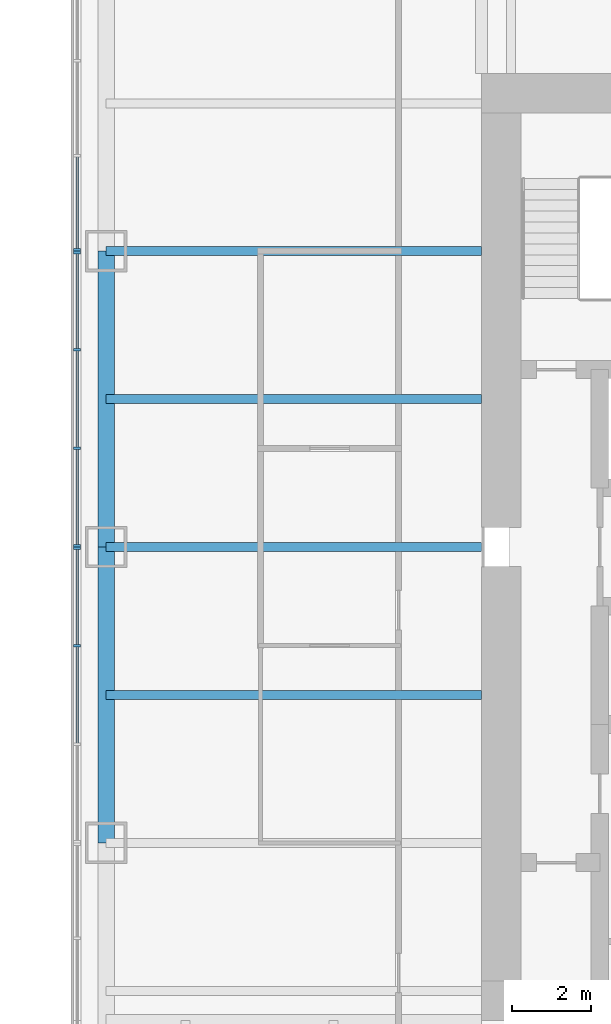
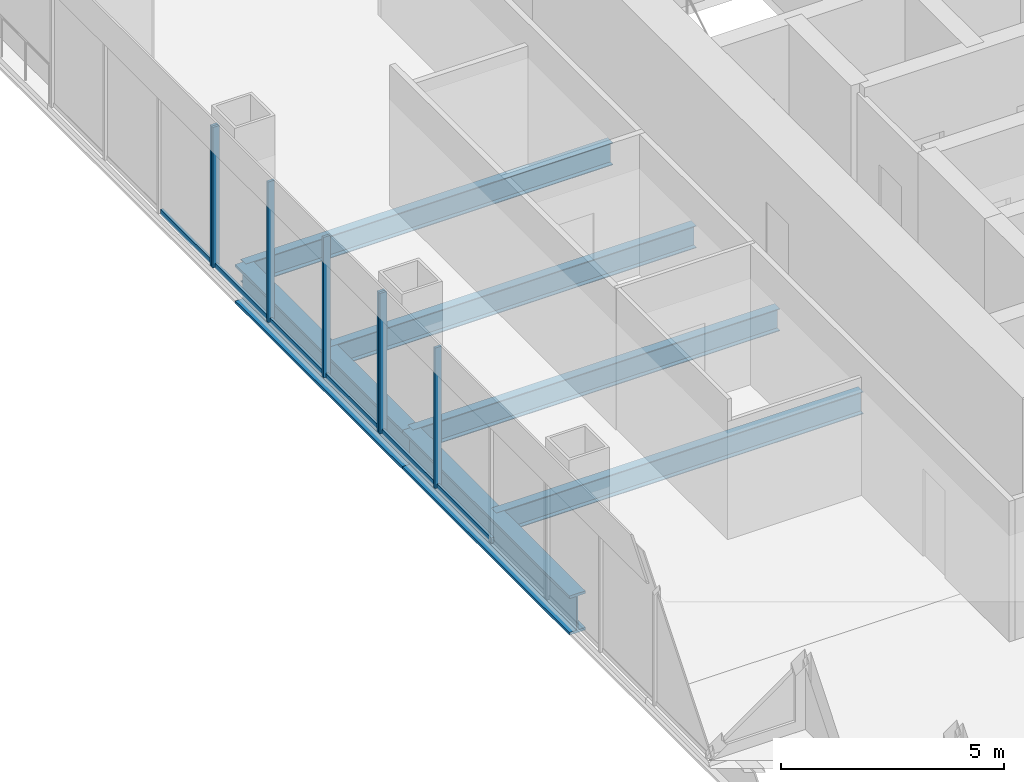
# One storey, part 3 of 13: 13 members, 6 beams, 3 elements without a shape of their own.
"""IFC4 building model written with IfcOpenShell, lengths in metres."""

import ifcopenshell
import ifcopenshell.guid

model = None  # the IFC model being written
_history = None  # IfcOwnerHistory: only IFC2X3 demands one
_inside = {}  # id of a spatial element -> (the spatial element, [elements in it])
_under = {}  # id of a project, library or spatial element -> (it, [spatial elements below it])
_declared = {}  # id of a project -> (the project, [libraries it declares])
_typed = {}  # id of a type object -> (the type object, [elements of that type])
_made_of = {}  # id of a material, layer set ... -> (it, [elements and type objects made of it])


def new_model(schema):
    """Start an empty IFC model of exactly this schema.

    Asked for "IFC4X3", IfcOpenShell would pick the latest addendum, in which some entities
    have other attributes; the version numbers below select the first issue.
    IFC2X3 requires an IfcOwnerHistory on every rooted entity: one is made here for all.
    """
    global model, _history
    if schema == "IFC4X3":
        model = ifcopenshell.file(schema_version=(4, 3, 0, 0))
    else:
        model = ifcopenshell.file(schema=schema)
    _inside.clear()
    _under.clear()
    _declared.clear()
    _typed.clear()
    _made_of.clear()
    _history = None
    if model.schema == "IFC2X3":
        org = make("IfcOrganization", Name="unknown")
        user = make(
            "IfcPersonAndOrganization",
            ThePerson=make("IfcPerson", FamilyName="unknown"),
            TheOrganization=org,
        )
        app = make(
            "IfcApplication",
            ApplicationDeveloper=org,
            Version="unknown",
            ApplicationFullName="unknown",
            ApplicationIdentifier="unknown",
        )
        _history = make(
            "IfcOwnerHistory",
            OwningUser=user,
            OwningApplication=app,
            ChangeAction="ADDED",
            CreationDate=0,
        )
    return model


def make(cls, **values):
    """One entity of the class cls with the attributes given. An attribute that is None is left unset."""
    return model.create_entity(
        cls, **{name: value for name, value in values.items() if value is not None}
    )


def rooted(cls, **values):
    """An entity with a GlobalId (a new one), such as an element, a storey or a relation."""
    return make(cls, GlobalId=ifcopenshell.guid.new(), OwnerHistory=_history, **values)


def si_unit(unit_type, name, prefix=None):
    """IfcSIUnit, for example si_unit("LENGTHUNIT", "METRE", prefix="MILLI")."""
    return make("IfcSIUnit", UnitType=unit_type, Prefix=prefix, Name=name)


def assignment(units):
    """IfcUnitAssignment: the units of a project."""
    return None if units is None else make("IfcUnitAssignment", Units=units)


def point(xyz):
    """IfcCartesianPoint."""
    return None if xyz is None else make("IfcCartesianPoint", Coordinates=xyz)


def direction(xyz):
    """IfcDirection."""
    return None if xyz is None else make("IfcDirection", DirectionRatios=xyz)


def frame(location, z_axis=None, x_axis=None):
    """IfcAxis2Placement3D, a coordinate frame: its origin and axes. An axis left out is left unset."""
    return make(
        "IfcAxis2Placement3D",
        Location=point(location),
        Axis=direction(z_axis),
        RefDirection=direction(x_axis),
    )


def frame_2d(location, x_axis=None):
    """IfcAxis2Placement2D, a coordinate frame in the plane: its origin and x axis."""
    return make(
        "IfcAxis2Placement2D", Location=point(location), RefDirection=direction(x_axis)
    )


def origin():
    """The frame at (0, 0, 0) with its axes left unset."""
    return frame((0.0, 0.0, 0.0))


def origin_2d():
    """The frame at (0, 0) in the plane with its x axis left unset."""
    return frame_2d((0.0, 0.0))


def place(relative_to, where):
    """IfcLocalPlacement: puts the frame where relative to a parent placement (None: the world)."""
    return make(
        "IfcLocalPlacement", PlacementRelTo=relative_to, RelativePlacement=where
    )


def context(
    kind, dimensions, precision=None, world=None, true_north=None, identifier=None
):
    """IfcGeometricRepresentationContext, for example the 3D "Model" context."""
    return make(
        "IfcGeometricRepresentationContext",
        ContextIdentifier=identifier,
        ContextType=kind,
        CoordinateSpaceDimension=dimensions,
        Precision=precision,
        WorldCoordinateSystem=world,
        TrueNorth=true_north,
    )


def subcontext(parent, identifier, kind, view, scale=None):
    """IfcGeometricRepresentationSubContext, for example "Body" below "Model"."""
    return make(
        "IfcGeometricRepresentationSubContext",
        ContextIdentifier=identifier,
        ContextType=kind,
        ParentContext=parent,
        TargetScale=scale,
        TargetView=view,
    )


def project(units=None, contexts=None):
    """IfcProject with its units and contexts."""
    return rooted(
        "IfcProject",
        Name="project",
        RepresentationContexts=contexts,
        UnitsInContext=assignment(units),
    )


def spatial(cls, under=None, at=None, **own):
    """A site, building, storey or space (cls), placed at a placement, below another one or the project."""
    s = rooted(cls, ObjectPlacement=at, **own)
    if under is not None:
        _under.setdefault(under.id(), (under, []))[1].append(s)
    return s


def profile(cls, at=None, kind="AREA", **sizes):
    """A parametric profile (cls). Its sizes go by their IFC names, for example OverallWidth=200.0."""
    return make(cls, ProfileType=kind, Position=at, **sizes)


def rectangle(**sizes):
    """IfcRectangleProfileDef."""
    return profile("IfcRectangleProfileDef", **sizes)


def i_section(**sizes):
    """IfcIShapeProfileDef."""
    return profile("IfcIShapeProfileDef", **sizes)


def extrude(swept, where, along, depth):
    """IfcExtrudedAreaSolid: the profile swept, set in the frame where, extruded along a direction by depth."""
    return make(
        "IfcExtrudedAreaSolid",
        SweptArea=swept,
        Position=where,
        ExtrudedDirection=direction(along),
        Depth=depth,
    )


def shape(context_of_items, identifier, shape_type, items):
    """IfcShapeRepresentation: the items that make up one representation, for example the "Body"."""
    return make(
        "IfcShapeRepresentation",
        ContextOfItems=context_of_items,
        RepresentationIdentifier=identifier,
        RepresentationType=shape_type,
        Items=items,
    )


def material(Name=None, Category=None):
    """IfcMaterial."""
    return make("IfcMaterial", Name=Name, Category=Category)


def material_profile(
    of_material, cross_section, Name=None, Category=None, Priority=None
):
    """IfcMaterialProfile: a cross section and its material."""
    return make(
        "IfcMaterialProfile",
        Name=Name,
        Material=of_material,
        Profile=cross_section,
        Priority=Priority,
        Category=Category,
    )


def profile_set(profiles, Name=None, composite=None):
    """IfcMaterialProfileSet."""
    return make(
        "IfcMaterialProfileSet",
        Name=Name,
        MaterialProfiles=profiles,
        CompositeProfile=composite,
    )


def made_of(thing, what):
    """Note that an element or type object is made of a material, layer set ...; save() writes the relation."""
    if what is not None:
        _made_of.setdefault(what.id(), (what, []))[1].append(thing)
    return thing


def type_object(cls, material=None, **own):
    """A type object (cls), such as IfcWallType, which elements share."""
    return made_of(rooted(cls, **own), material)


def element(
    cls,
    number,
    at=None,
    inside=None,
    cuts=None,
    type_object=None,
    material=None,
    context=None,
    identifier="Body",
    shape_type=None,
    held_by="IfcProductDefinitionShape",
    body=None,
    shapes=None,
    **own,
):
    """One element of the class cls, such as IfcWall. Its Tag is "e" and its number.

    at: its placement. inside: the storey or other place that contains it. cuts: it is an
    opening in that element (IfcRelVoidsElement). A single representation is given by context,
    identifier, shape_type and body (its items); several are given by shapes. held_by: the class
    of the entity that holds the representations. save() writes the other relations.
    """
    e = rooted(cls, Tag="e%d" % number, ObjectPlacement=at, **own)
    if body is not None:
        shapes = [shape(context, identifier, shape_type, body)]
    if shapes is not None:
        e.Representation = make(held_by, Representations=shapes)
    if inside is not None:
        _inside.setdefault(inside.id(), (inside, []))[1].append(e)
    if cuts is not None:
        rooted(
            "IfcRelVoidsElement", RelatingBuildingElement=cuts, RelatedOpeningElement=e
        )
    if type_object is not None:
        _typed.setdefault(type_object.id(), (type_object, []))[1].append(e)
    return made_of(e, material)


def aggregate(whole, parts):
    """IfcRelAggregates: a whole, such as a stair, and the parts it consists of."""
    return rooted("IfcRelAggregates", RelatingObject=whole, RelatedObjects=parts)


def save(model, path):
    """Write the relations noted so far, then the file.

    IfcRelAggregates (storeys below a building ...), IfcRelContainedInSpatialStructure (elements
    in a storey), IfcRelDefinesByType, IfcRelAssociatesMaterial and IfcRelDeclares: one each for
    every whole, place, type object, material and project.
    """
    for whole, parts in _under.values():
        aggregate(whole, parts)
    for where, things in _inside.values():
        rooted(
            "IfcRelContainedInSpatialStructure",
            RelatedElements=things,
            RelatingStructure=where,
        )
    for kind, things in _typed.values():
        rooted("IfcRelDefinesByType", RelatedObjects=things, RelatingType=kind)
    for what, things in _made_of.values():
        rooted("IfcRelAssociatesMaterial", RelatedObjects=things, RelatingMaterial=what)
    for by, libraries in _declared.values():
        rooted("IfcRelDeclares", RelatingContext=by, RelatedDefinitions=libraries)
    model.write(path)


model = new_model("IFC4")

# Units and contexts
model_context = context("Model", 3, precision=1e-05, world=origin(), true_north=direction((0.0, 1.0)))
body_context = subcontext(model_context, "Body", "Model", "MODEL_VIEW")
ifc_project = project(units=[si_unit("LENGTHUNIT", "METRE"), si_unit("AREAUNIT", "SQUARE_METRE"), si_unit("VOLUMEUNIT", "CUBIC_METRE"), si_unit("PLANEANGLEUNIT", "RADIAN"), si_unit("MASSUNIT", "GRAM", prefix="KILO")], contexts=[model_context])

# Site, building, storey
site_placement = place(None, origin())
site = spatial("IfcSite", under=ifc_project, at=site_placement, CompositionType="ELEMENT")
building_placement = place(site_placement, origin())
building = spatial("IfcBuilding", under=site, at=building_placement, Name="Tarangal Relay Tower", CompositionType="ELEMENT")
storey_placement = place(building_placement, frame((0.0, 0.0, 209.89990234375)))
storey = spatial("IfcBuildingStorey", under=building, at=storey_placement, Name="L44", CompositionType="ELEMENT", Elevation=209.89990234375)

# Beams
ifc_material_1 = material(Name="Steel ASTM A992", Category="steel")
ifc_material_profile_1 = material_profile(ifc_material_1, i_section(OverallWidth=0.41650390625, OverallDepth=1.0693359375, WebThickness=0.0390625, FlangeThickness=0.070068359375, at=origin_2d()), Name="W40X503")
ifc_profile_set_1 = profile_set([ifc_material_profile_1], Name="Steel ASTM A992")
beam_type_1 = type_object("IfcBeamType", Name="Edge girder W40X503", PredefinedType="SPANDREL", material=ifc_profile_set_1)
for number, where, z_axis, x_axis, name in (
    (1, (-21.514892578125, -7.5, -0.6845703125), (0.0, 1.0, 0.0), (-1.0, 0.0, 0.0), "Edge girder EG8 W L44"),
    (2, (-21.514892578125, 0.0, -0.6845703125), (0.0, 1.0, 0.0), (-1.0, 0.0, 0.0), "Edge girder EG8 W L44"),
):
    element("IfcBeam", number, at=place(storey_placement, frame(where, z_axis=z_axis, x_axis=x_axis)), inside=storey, type_object=beam_type_1, Name=name, PredefinedType="SPANDREL", context=body_context, shape_type="SweptSolid", body=[
        extrude(i_section(OverallWidth=0.41650390625, OverallDepth=1.0693359375, WebThickness=0.0390625, FlangeThickness=0.070068359375, at=origin_2d()), origin(), (0.0, 0.0, 1.0), 7.5),
    ])
ifc_material_profile_2 = material_profile(ifc_material_1, i_section(OverallWidth=0.22900390625, OverallDepth=0.612060546875, WebThickness=0.011962890625, FlangeThickness=0.01953125, at=origin_2d()), Name="W24X84")
ifc_profile_set_2 = profile_set([ifc_material_profile_2], Name="Steel ASTM A992")
beam_type_2 = type_object("IfcBeamType", Name="Floor beam W24X84", PredefinedType="BEAM", material=ifc_profile_set_2)
for number, where, z_axis, x_axis, name in (
    (3, (-12.0, -3.75, -0.455810546875), (-1.0, 0.0, 0.0), (0.0, -1.0, 0.0), "Floor beam RB12 W L44"),
    (4, (-12.0, 0.0, -0.455810546875), (-1.0, 0.0, 0.0), (0.0, -1.0, 0.0), "Floor beam RB12 W L44"),
    (5, (-12.0, 3.75, -0.455810546875), (-1.0, 0.0, 0.0), (0.0, -1.0, 0.0), "Floor beam RB12 W L44"),
    (6, (-12.0, 7.5, -0.455810546875), (-1.0, 0.0, 0.0), (0.0, -1.0, 0.0), "Floor beam RB12 W L44"),
):
    element("IfcBeam", number, at=place(storey_placement, frame(where, z_axis=z_axis, x_axis=x_axis)), inside=storey, type_object=beam_type_2, Name=name, PredefinedType="BEAM", context=body_context, shape_type="SweptSolid", body=[
        extrude(i_section(OverallWidth=0.22900390625, OverallDepth=0.612060546875, WebThickness=0.011962890625, FlangeThickness=0.01953125, at=origin_2d()), origin(), (0.0, 0.0, 1.0), 9.514892578125),
    ])

# Curtain wall, members
ifc_material_2 = material(Name="Unitised curtain wall, dark glass and black aluminium", Category="aluminium")
curtain_wall_type = type_object("IfcCurtainWallType", Name="Curtain wall CW-A", PredefinedType="USERDEFINED", material=ifc_material_2)
curtain_wall_1_placement = place(storey_placement, origin())
curtain_wall_1 = element("IfcCurtainWall", 7, at=curtain_wall_1_placement, inside=storey, type_object=curtain_wall_type, Name="Curtain wall CW-A W facade L44", ObjectType="UNITISED CURTAIN WALL", PredefinedType="USERDEFINED")
ifc_material_3 = material(Name="Black anodised aluminium mullion", Category="aluminium")
ifc_material_profile_3 = material_profile(ifc_material_3, rectangle(XDim=0.175048828125, YDim=0.06494140625, at=origin_2d()), Name="CW-AM 65X175")
ifc_profile_set_3 = profile_set([ifc_material_profile_3], Name="Black anodised aluminium mullion")
member_type_1 = type_object("IfcMemberType", Name="Mullion CW-A 65 x 175", PredefinedType="MULLION", material=ifc_profile_set_3)
member_1_placement = place(storey_placement, frame((-22.25, -2.5, 0.0), z_axis=(0.0, 0.0, 1.0), x_axis=(-1.0, 0.0, 0.0)))
member_1 = element("IfcMember", 8, at=member_1_placement, type_object=member_type_1, Name="CW-A mullion 3", PredefinedType="MULLION", context=body_context, shape_type="SweptSolid", body=[
    extrude(rectangle(XDim=0.175048828125, YDim=0.06494140625, at=origin_2d()), origin(), (0.0, 0.0, 1.0), 3.85009765625),
])
member_2_placement = place(storey_placement, frame((-22.25, -0.032470703125, 0.0), z_axis=(0.0, 0.0, 1.0), x_axis=(-1.0, 0.0, 0.0)))
member_2 = element("IfcMember", 9, at=member_2_placement, type_object=member_type_1, Name="CW-A mullion 4", PredefinedType="MULLION", context=body_context, shape_type="SweptSolid", body=[
    extrude(rectangle(XDim=0.175048828125, YDim=0.06494140625, at=origin_2d()), origin(), (0.0, 0.0, 1.0), 3.85009765625),
])

curtain_wall_2_placement = place(storey_placement, origin())
curtain_wall_2 = element("IfcCurtainWall", 10, at=curtain_wall_2_placement, inside=storey, type_object=curtain_wall_type, Name="Curtain wall CW-A W facade L44", ObjectType="UNITISED CURTAIN WALL", PredefinedType="USERDEFINED")
member_3_placement = place(storey_placement, frame((-22.25, 0.032470703125, 0.0), z_axis=(0.0, 0.0, 1.0), x_axis=(-1.0, 0.0, 0.0)))
member_3 = element("IfcMember", 11, at=member_3_placement, type_object=member_type_1, Name="CW-A mullion 1", PredefinedType="MULLION", context=body_context, shape_type="SweptSolid", body=[
    extrude(rectangle(XDim=0.175048828125, YDim=0.06494140625, at=origin_2d()), origin(), (0.0, 0.0, 1.0), 3.85009765625),
])
member_4_placement = place(storey_placement, frame((-22.25, 2.5, 0.0), z_axis=(0.0, 0.0, 1.0), x_axis=(-1.0, 0.0, 0.0)))
member_4 = element("IfcMember", 12, at=member_4_placement, type_object=member_type_1, Name="CW-A mullion 2", PredefinedType="MULLION", context=body_context, shape_type="SweptSolid", body=[
    extrude(rectangle(XDim=0.175048828125, YDim=0.06494140625, at=origin_2d()), origin(), (0.0, 0.0, 1.0), 3.85009765625),
])
member_5_placement = place(storey_placement, frame((-22.25, 5.0, 0.0), z_axis=(0.0, 0.0, 1.0), x_axis=(-1.0, 0.0, 0.0)))
member_5 = element("IfcMember", 13, at=member_5_placement, type_object=member_type_1, Name="CW-A mullion 3", PredefinedType="MULLION", context=body_context, shape_type="SweptSolid", body=[
    extrude(rectangle(XDim=0.175048828125, YDim=0.06494140625, at=origin_2d()), origin(), (0.0, 0.0, 1.0), 3.85009765625),
])
member_6_placement = place(storey_placement, frame((-22.25, 7.467529296875, 0.0), z_axis=(0.0, 0.0, 1.0), x_axis=(-1.0, 0.0, 0.0)))
member_6 = element("IfcMember", 14, at=member_6_placement, type_object=member_type_1, Name="CW-A mullion 4", PredefinedType="MULLION", context=body_context, shape_type="SweptSolid", body=[
    extrude(rectangle(XDim=0.175048828125, YDim=0.06494140625, at=origin_2d()), origin(), (0.0, 0.0, 1.0), 3.85009765625),
])

# Curtain wall, member
curtain_wall_3_placement = place(storey_placement, origin())
curtain_wall_3 = element("IfcCurtainWall", 15, at=curtain_wall_3_placement, inside=storey, type_object=curtain_wall_type, Name="Curtain wall CW-A W facade L44", ObjectType="UNITISED CURTAIN WALL", PredefinedType="USERDEFINED")
member_7_placement = place(storey_placement, frame((-22.25, 7.532470703125, 0.0), z_axis=(0.0, 0.0, 1.0), x_axis=(-1.0, 0.0, 0.0)))
member_7 = element("IfcMember", 16, at=member_7_placement, type_object=member_type_1, Name="CW-A mullion 1", PredefinedType="MULLION", context=body_context, shape_type="SweptSolid", body=[
    extrude(rectangle(XDim=0.175048828125, YDim=0.06494140625, at=origin_2d()), origin(), (0.0, 0.0, 1.0), 3.85009765625),
])

# Member
ifc_material_4 = material(Name="Black anodised aluminium transom", Category="aluminium")
ifc_material_profile_4 = material_profile(ifc_material_4, rectangle(XDim=0.06494140625, YDim=0.14990234375, at=origin_2d()), Name="CW-AT 65X150")
ifc_profile_set_4 = profile_set([ifc_material_profile_4], Name="Black anodised aluminium transom")
member_type_2 = type_object("IfcMemberType", Name="Transom CW-A 65 x 150", PredefinedType="USERDEFINED", material=ifc_profile_set_4)
member_8_placement = place(storey_placement, frame((-22.25, -4.967529296875, 0.03271484375), z_axis=(0.0, 1.0, 0.0), x_axis=(-1.0, 0.0, 0.0)))
member_8 = element("IfcMember", 17, at=member_8_placement, type_object=member_type_2, Name="CW-A transom 2.1", ObjectType="TRANSOM", PredefinedType="USERDEFINED", context=body_context, shape_type="SweptSolid", body=[
    extrude(rectangle(XDim=0.06494140625, YDim=0.14990234375, at=origin_2d()), origin(), (0.0, 0.0, 1.0), 2.43505859375),
])

member_9_placement = place(storey_placement, frame((-22.25, -2.467529296875, 0.03271484375), z_axis=(0.0, 1.0, 0.0), x_axis=(-1.0, 0.0, 0.0)))
member_9 = element("IfcMember", 18, at=member_9_placement, type_object=member_type_2, Name="CW-A transom 3.1", ObjectType="TRANSOM", PredefinedType="USERDEFINED", context=body_context, shape_type="SweptSolid", body=[
    extrude(rectangle(XDim=0.06494140625, YDim=0.14990234375, at=origin_2d()), origin(), (0.0, 0.0, 1.0), 2.402587890625),
])

aggregate(curtain_wall_1, [member_1, member_2, member_8, member_9])

member_10_placement = place(storey_placement, frame((-22.25, 0.06494140625, 0.03271484375), z_axis=(0.0, 1.0, 0.0), x_axis=(-1.0, 0.0, 0.0)))
member_10 = element("IfcMember", 19, at=member_10_placement, type_object=member_type_2, Name="CW-A transom 1.1", ObjectType="TRANSOM", PredefinedType="USERDEFINED", context=body_context, shape_type="SweptSolid", body=[
    extrude(rectangle(XDim=0.06494140625, YDim=0.14990234375, at=origin_2d()), origin(), (0.0, 0.0, 1.0), 2.402587890625),
])

member_11_placement = place(storey_placement, frame((-22.25, 2.532470703125, 0.03271484375), z_axis=(0.0, 1.0, 0.0), x_axis=(-1.0, 0.0, 0.0)))
member_11 = element("IfcMember", 20, at=member_11_placement, type_object=member_type_2, Name="CW-A transom 2.1", ObjectType="TRANSOM", PredefinedType="USERDEFINED", context=body_context, shape_type="SweptSolid", body=[
    extrude(rectangle(XDim=0.06494140625, YDim=0.14990234375, at=origin_2d()), origin(), (0.0, 0.0, 1.0), 2.43505859375),
])

member_12_placement = place(storey_placement, frame((-22.25, 5.032470703125, 0.03271484375), z_axis=(0.0, 1.0, 0.0), x_axis=(-1.0, 0.0, 0.0)))
member_12 = element("IfcMember", 21, at=member_12_placement, type_object=member_type_2, Name="CW-A transom 3.1", ObjectType="TRANSOM", PredefinedType="USERDEFINED", context=body_context, shape_type="SweptSolid", body=[
    extrude(rectangle(XDim=0.06494140625, YDim=0.14990234375, at=origin_2d()), origin(), (0.0, 0.0, 1.0), 2.402587890625),
])

aggregate(curtain_wall_2, [member_3, member_4, member_5, member_6, member_10, member_11, member_12])

member_13_placement = place(storey_placement, frame((-22.25, 7.56494140625, 0.03271484375), z_axis=(0.0, 1.0, 0.0), x_axis=(-1.0, 0.0, 0.0)))
member_13 = element("IfcMember", 22, at=member_13_placement, type_object=member_type_2, Name="CW-A transom 1.1", ObjectType="TRANSOM", PredefinedType="USERDEFINED", context=body_context, shape_type="SweptSolid", body=[
    extrude(rectangle(XDim=0.06494140625, YDim=0.14990234375, at=origin_2d()), origin(), (0.0, 0.0, 1.0), 2.3193359375),
])

aggregate(curtain_wall_3, [member_7, member_13])

save(model, "model.ifc")
